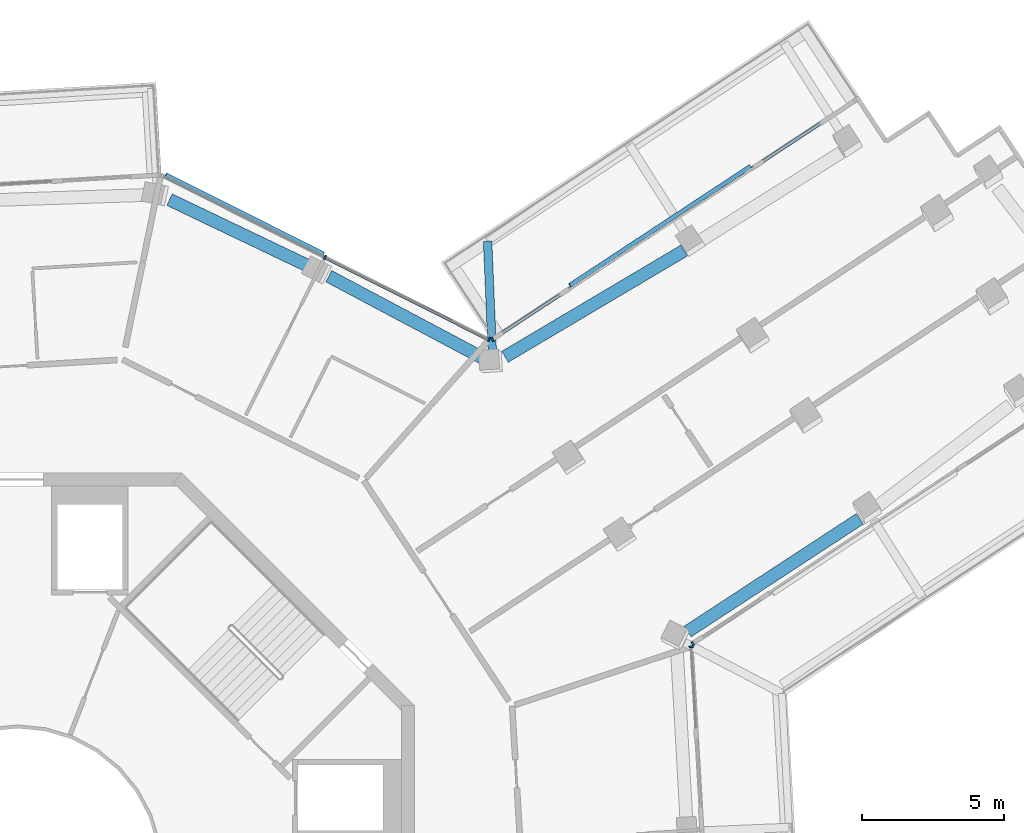
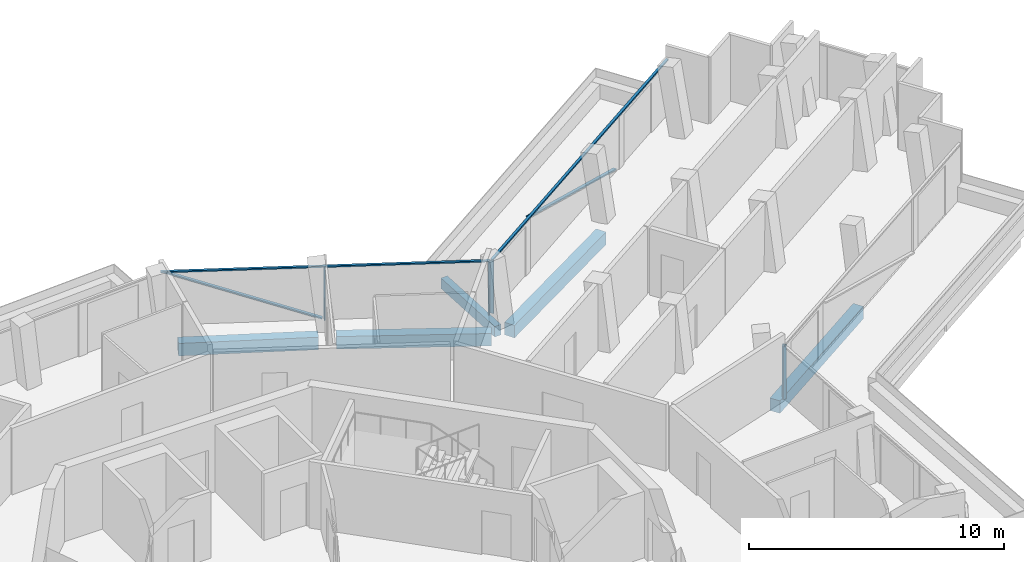
# One storey, part 8 of 26: 9 members, 5 beams, 4 elements without a shape of their own.
"""IFC4 building model written with IfcOpenShell, lengths in metres."""

import ifcopenshell
import ifcopenshell.guid

model = None  # the IFC model being written
_history = None  # IfcOwnerHistory: only IFC2X3 demands one
_inside = {}  # id of a spatial element -> (the spatial element, [elements in it])
_under = {}  # id of a project, library or spatial element -> (it, [spatial elements below it])
_declared = {}  # id of a project -> (the project, [libraries it declares])
_typed = {}  # id of a type object -> (the type object, [elements of that type])
_made_of = {}  # id of a material, layer set ... -> (it, [elements and type objects made of it])


def new_model(schema):
    """Start an empty IFC model of exactly this schema.

    Asked for "IFC4X3", IfcOpenShell would pick the latest addendum, in which some entities
    have other attributes; the version numbers below select the first issue.
    IFC2X3 requires an IfcOwnerHistory on every rooted entity: one is made here for all.
    """
    global model, _history
    if schema == "IFC4X3":
        model = ifcopenshell.file(schema_version=(4, 3, 0, 0))
    else:
        model = ifcopenshell.file(schema=schema)
    _inside.clear()
    _under.clear()
    _declared.clear()
    _typed.clear()
    _made_of.clear()
    _history = None
    if model.schema == "IFC2X3":
        org = make("IfcOrganization", Name="unknown")
        user = make(
            "IfcPersonAndOrganization",
            ThePerson=make("IfcPerson", FamilyName="unknown"),
            TheOrganization=org,
        )
        app = make(
            "IfcApplication",
            ApplicationDeveloper=org,
            Version="unknown",
            ApplicationFullName="unknown",
            ApplicationIdentifier="unknown",
        )
        _history = make(
            "IfcOwnerHistory",
            OwningUser=user,
            OwningApplication=app,
            ChangeAction="ADDED",
            CreationDate=0,
        )
    return model


def make(cls, **values):
    """One entity of the class cls with the attributes given. An attribute that is None is left unset."""
    return model.create_entity(
        cls, **{name: value for name, value in values.items() if value is not None}
    )


def rooted(cls, **values):
    """An entity with a GlobalId (a new one), such as an element, a storey or a relation."""
    return make(cls, GlobalId=ifcopenshell.guid.new(), OwnerHistory=_history, **values)


def si_unit(unit_type, name, prefix=None):
    """IfcSIUnit, for example si_unit("LENGTHUNIT", "METRE", prefix="MILLI")."""
    return make("IfcSIUnit", UnitType=unit_type, Prefix=prefix, Name=name)


def assignment(units):
    """IfcUnitAssignment: the units of a project."""
    return None if units is None else make("IfcUnitAssignment", Units=units)


def point(xyz):
    """IfcCartesianPoint."""
    return None if xyz is None else make("IfcCartesianPoint", Coordinates=xyz)


def direction(xyz):
    """IfcDirection."""
    return None if xyz is None else make("IfcDirection", DirectionRatios=xyz)


def frame(location, z_axis=None, x_axis=None):
    """IfcAxis2Placement3D, a coordinate frame: its origin and axes. An axis left out is left unset."""
    return make(
        "IfcAxis2Placement3D",
        Location=point(location),
        Axis=direction(z_axis),
        RefDirection=direction(x_axis),
    )


def frame_2d(location, x_axis=None):
    """IfcAxis2Placement2D, a coordinate frame in the plane: its origin and x axis."""
    return make(
        "IfcAxis2Placement2D", Location=point(location), RefDirection=direction(x_axis)
    )


def origin():
    """The frame at (0, 0, 0) with its axes left unset."""
    return frame((0.0, 0.0, 0.0))


def origin_2d():
    """The frame at (0, 0) in the plane with its x axis left unset."""
    return frame_2d((0.0, 0.0))


def place(relative_to, where):
    """IfcLocalPlacement: puts the frame where relative to a parent placement (None: the world)."""
    return make(
        "IfcLocalPlacement", PlacementRelTo=relative_to, RelativePlacement=where
    )


def context(
    kind, dimensions, precision=None, world=None, true_north=None, identifier=None
):
    """IfcGeometricRepresentationContext, for example the 3D "Model" context."""
    return make(
        "IfcGeometricRepresentationContext",
        ContextIdentifier=identifier,
        ContextType=kind,
        CoordinateSpaceDimension=dimensions,
        Precision=precision,
        WorldCoordinateSystem=world,
        TrueNorth=true_north,
    )


def subcontext(parent, identifier, kind, view, scale=None):
    """IfcGeometricRepresentationSubContext, for example "Body" below "Model"."""
    return make(
        "IfcGeometricRepresentationSubContext",
        ContextIdentifier=identifier,
        ContextType=kind,
        ParentContext=parent,
        TargetScale=scale,
        TargetView=view,
    )


def project(units=None, contexts=None):
    """IfcProject with its units and contexts."""
    return rooted(
        "IfcProject",
        Name="project",
        RepresentationContexts=contexts,
        UnitsInContext=assignment(units),
    )


def spatial(cls, under=None, at=None, **own):
    """A site, building, storey or space (cls), placed at a placement, below another one or the project."""
    s = rooted(cls, ObjectPlacement=at, **own)
    if under is not None:
        _under.setdefault(under.id(), (under, []))[1].append(s)
    return s


def profile(cls, at=None, kind="AREA", **sizes):
    """A parametric profile (cls). Its sizes go by their IFC names, for example OverallWidth=200.0."""
    return make(cls, ProfileType=kind, Position=at, **sizes)


def rectangle(**sizes):
    """IfcRectangleProfileDef."""
    return profile("IfcRectangleProfileDef", **sizes)


def extrude(swept, where, along, depth):
    """IfcExtrudedAreaSolid: the profile swept, set in the frame where, extruded along a direction by depth."""
    return make(
        "IfcExtrudedAreaSolid",
        SweptArea=swept,
        Position=where,
        ExtrudedDirection=direction(along),
        Depth=depth,
    )


def shape(context_of_items, identifier, shape_type, items):
    """IfcShapeRepresentation: the items that make up one representation, for example the "Body"."""
    return make(
        "IfcShapeRepresentation",
        ContextOfItems=context_of_items,
        RepresentationIdentifier=identifier,
        RepresentationType=shape_type,
        Items=items,
    )


def material(Name=None, Category=None):
    """IfcMaterial."""
    return make("IfcMaterial", Name=Name, Category=Category)


def layer(
    of_material, thickness, ventilated=None, Name=None, Category=None, Priority=None
):
    """IfcMaterialLayer: one layer of a wall or slab, of a material (None: an air gap)."""
    return make(
        "IfcMaterialLayer",
        Material=of_material,
        LayerThickness=thickness,
        IsVentilated=ventilated,
        Name=Name,
        Category=Category,
        Priority=Priority,
    )


def layer_set(layers, Name=None):
    """IfcMaterialLayerSet."""
    return make("IfcMaterialLayerSet", MaterialLayers=layers, LayerSetName=Name)


def material_profile(
    of_material, cross_section, Name=None, Category=None, Priority=None
):
    """IfcMaterialProfile: a cross section and its material."""
    return make(
        "IfcMaterialProfile",
        Name=Name,
        Material=of_material,
        Profile=cross_section,
        Priority=Priority,
        Category=Category,
    )


def profile_set(profiles, Name=None, composite=None):
    """IfcMaterialProfileSet."""
    return make(
        "IfcMaterialProfileSet",
        Name=Name,
        MaterialProfiles=profiles,
        CompositeProfile=composite,
    )


def made_of(thing, what):
    """Note that an element or type object is made of a material, layer set ...; save() writes the relation."""
    if what is not None:
        _made_of.setdefault(what.id(), (what, []))[1].append(thing)
    return thing


def type_object(cls, material=None, **own):
    """A type object (cls), such as IfcWallType, which elements share."""
    return made_of(rooted(cls, **own), material)


def element(
    cls,
    number,
    at=None,
    inside=None,
    cuts=None,
    type_object=None,
    material=None,
    context=None,
    identifier="Body",
    shape_type=None,
    held_by="IfcProductDefinitionShape",
    body=None,
    shapes=None,
    **own,
):
    """One element of the class cls, such as IfcWall. Its Tag is "e" and its number.

    at: its placement. inside: the storey or other place that contains it. cuts: it is an
    opening in that element (IfcRelVoidsElement). A single representation is given by context,
    identifier, shape_type and body (its items); several are given by shapes. held_by: the class
    of the entity that holds the representations. save() writes the other relations.
    """
    e = rooted(cls, Tag="e%d" % number, ObjectPlacement=at, **own)
    if body is not None:
        shapes = [shape(context, identifier, shape_type, body)]
    if shapes is not None:
        e.Representation = make(held_by, Representations=shapes)
    if inside is not None:
        _inside.setdefault(inside.id(), (inside, []))[1].append(e)
    if cuts is not None:
        rooted(
            "IfcRelVoidsElement", RelatingBuildingElement=cuts, RelatedOpeningElement=e
        )
    if type_object is not None:
        _typed.setdefault(type_object.id(), (type_object, []))[1].append(e)
    return made_of(e, material)


def aggregate(whole, parts):
    """IfcRelAggregates: a whole, such as a stair, and the parts it consists of."""
    return rooted("IfcRelAggregates", RelatingObject=whole, RelatedObjects=parts)


def save(model, path):
    """Write the relations noted so far, then the file.

    IfcRelAggregates (storeys below a building ...), IfcRelContainedInSpatialStructure (elements
    in a storey), IfcRelDefinesByType, IfcRelAssociatesMaterial and IfcRelDeclares: one each for
    every whole, place, type object, material and project.
    """
    for whole, parts in _under.values():
        aggregate(whole, parts)
    for where, things in _inside.values():
        rooted(
            "IfcRelContainedInSpatialStructure",
            RelatedElements=things,
            RelatingStructure=where,
        )
    for kind, things in _typed.values():
        rooted("IfcRelDefinesByType", RelatedObjects=things, RelatingType=kind)
    for what, things in _made_of.values():
        rooted("IfcRelAssociatesMaterial", RelatedObjects=things, RelatingMaterial=what)
    for by, libraries in _declared.values():
        rooted("IfcRelDeclares", RelatingContext=by, RelatedDefinitions=libraries)
    model.write(path)


model = new_model("IFC4")

# Units and contexts
model_context = context("Model", 3, precision=1e-05, world=origin(), true_north=direction((0.0, 1.0)))
body_context = subcontext(model_context, "Body", "Model", "MODEL_VIEW")
ifc_project = project(units=[si_unit("LENGTHUNIT", "METRE"), si_unit("AREAUNIT", "SQUARE_METRE"), si_unit("VOLUMEUNIT", "CUBIC_METRE"), si_unit("PLANEANGLEUNIT", "RADIAN"), si_unit("MASSUNIT", "GRAM", prefix="KILO")], contexts=[model_context])

# Site, building, storey
site_placement = place(None, origin())
site = spatial("IfcSite", under=ifc_project, at=site_placement, CompositionType="ELEMENT")
building_placement = place(site_placement, origin())
building = spatial("IfcBuilding", under=site, at=building_placement, Name="Verdalira Terraces Hotel", CompositionType="ELEMENT")
storey_placement = place(building_placement, frame((0.0, 0.0, 291.5)))
storey = spatial("IfcBuildingStorey", under=building, at=storey_placement, Name="L72", CompositionType="ELEMENT", Elevation=291.5)

# Beam
ifc_material_1 = material(Name="Concrete C40", Category="concrete")
ifc_material_profile_1 = material_profile(ifc_material_1, rectangle(XDim=0.300049, YDim=0.5, at=origin_2d()), Name="RC 300X500")
ifc_profile_set_1 = profile_set([ifc_material_profile_1], Name="Concrete C40")
beam_type_1 = type_object("IfcBeamType", Name="Balcony cantilever beam RC 300X500 C40", PredefinedType="BEAM", material=ifc_profile_set_1)
beam_1_placement = place(storey_placement, frame((16.748779, 18.240234, -0.560059), z_axis=(-0.041843926, 0.999124159, 0.0), x_axis=(-0.999124159, -0.041843926, 0.0)))
element("IfcBeam", 1, at=beam_1_placement, inside=storey, type_object=beam_type_1, Name="Balcony cantilever beam R38-3", PredefinedType="BEAM", context=body_context, shape_type="SweptSolid", body=[
    extrude(rectangle(XDim=0.300049, YDim=0.5, at=origin_2d()), origin(), (0.0, 0.0, 1.0), 3.949951),
])

# Curtain wall, member
ifc_material_2 = material(Name="Clear glass", Category="glass")
ifc_layer_1 = layer(ifc_material_2, 0.14990234375)
ifc_layer_set_1 = layer_set([ifc_layer_1], Name="CW1 curtain wall")
curtain_wall_type_1 = type_object("IfcCurtainWallType", Name="CW1 curtain wall", PredefinedType="NOTDEFINED", material=ifc_layer_set_1)
curtain_wall_1_placement = place(storey_placement, origin())
curtain_wall_1 = element("IfcCurtainWall", 2, at=curtain_wall_1_placement, inside=storey, type_object=curtain_wall_type_1, Name="CW1 curtain wall L72 edge 27", PredefinedType="NOTDEFINED")
ifc_material_3 = material(Name="Terracotta frame", Category="masonry")
ifc_material_profile_2 = material_profile(ifc_material_3, rectangle(XDim=0.060059, YDim=0.149902, at=origin_2d()), Name="MU 60x150")
ifc_profile_set_2 = profile_set([ifc_material_profile_2], Name="Terracotta frame")
member_type_1 = type_object("IfcMemberType", Name="CW1 mullion 60x150", PredefinedType="MULLION", material=ifc_profile_set_2)
member_1_placement = place(storey_placement, frame((23.762451, 7.876221, 0.0), z_axis=(0.0, 0.0, 1.0), x_axis=(-0.058609456, 0.998280988, 0.0)))
member_1 = element("IfcMember", 3, at=member_1_placement, type_object=member_type_1, Name="CW1 mullion", PredefinedType="MULLION", context=body_context, shape_type="SweptSolid", body=[
    extrude(rectangle(XDim=0.060059, YDim=0.149902, at=origin_2d()), origin(), (0.0, 0.0, 1.0), 2.524902),
])
aggregate(curtain_wall_1, [member_1])

# Curtain wall, members
curtain_wall_2_placement = place(storey_placement, origin())
curtain_wall_2 = element("IfcCurtainWall", 4, at=curtain_wall_2_placement, inside=storey, type_object=curtain_wall_type_1, Name="CW1 curtain wall L72 edge 39", PredefinedType="NOTDEFINED")
member_2_placement = place(storey_placement, frame((16.626465, 18.715088, 0.0), z_axis=(0.0, 0.0, 1.0), x_axis=(-0.893841424, 0.448383216, 0.0)))
member_2 = element("IfcMember", 5, at=member_2_placement, type_object=member_type_1, Name="CW1 mullion", PredefinedType="MULLION", context=body_context, shape_type="SweptSolid", body=[
    extrude(rectangle(XDim=0.060059, YDim=0.149902, at=origin_2d()), origin(), (0.0, 0.0, 1.0), 2.524902),
])
member_3_placement = place(storey_placement, frame((10.843506, 21.615967, 0.0), z_axis=(0.0, 0.0, 1.0), x_axis=(-0.893841424, 0.448383216, 0.0)))
member_3 = element("IfcMember", 6, at=member_3_placement, type_object=member_type_1, Name="CW1 mullion", PredefinedType="MULLION", context=body_context, shape_type="SweptSolid", body=[
    extrude(rectangle(XDim=0.060059, YDim=0.149902, at=origin_2d()), origin(), (0.0, 0.0, 1.0), 2.524902),
])
ifc_material_4 = material(Name="Terracotta frame", Category="masonry")
ifc_material_profile_3 = material_profile(ifc_material_4, rectangle(XDim=0.110107, YDim=0.064941, at=origin_2d()), Name="TR 65x110")
ifc_profile_set_3 = profile_set([ifc_material_profile_3], Name="Terracotta frame")
member_type_2 = type_object("IfcMemberType", Name="CW1 transom 65x110", PredefinedType="USERDEFINED", material=ifc_profile_set_3)
member_4_placement = place(storey_placement, frame((16.65332, 18.70166, 2.557617), z_axis=(-0.893846214, 0.448373667, 0.0), x_axis=(-0.448373667, -0.893846214, 0.0)))
member_4 = element("IfcMember", 7, at=member_4_placement, type_object=member_type_2, Name="CW1 transom", ObjectType="TRANSOM", PredefinedType="USERDEFINED", context=body_context, shape_type="SweptSolid", body=[
    extrude(rectangle(XDim=0.110107, YDim=0.064941, at=origin_2d()), origin(), (0.0, 0.0, 1.0), 12.959717),
])

# Curtain wall, member
ifc_material_5 = material(Name="Clear glass", Category="glass")
ifc_layer_2 = layer(ifc_material_5, 0.14990234375)
ifc_layer_set_2 = layer_set([ifc_layer_2], Name="CW2 curtain wall")
curtain_wall_type_2 = type_object("IfcCurtainWallType", Name="CW2 curtain wall", PredefinedType="NOTDEFINED", material=ifc_layer_set_2)
curtain_wall_3_placement = place(storey_placement, origin())
curtain_wall_3 = element("IfcCurtainWall", 8, at=curtain_wall_3_placement, inside=storey, type_object=curtain_wall_type_2, Name="CW2 curtain wall L72 edge 28", PredefinedType="NOTDEFINED")
ifc_material_6 = material(Name="Terracotta frame", Category="masonry")
ifc_material_profile_4 = material_profile(ifc_material_6, rectangle(XDim=0.070068, YDim=0.149902, at=origin_2d()), Name="MU 70x150")
ifc_profile_set_4 = profile_set([ifc_material_profile_4], Name="Terracotta frame")
member_type_3 = type_object("IfcMemberType", Name="CW2 mullion 70x150", PredefinedType="MULLION", material=ifc_profile_set_4)
member_5_placement = place(storey_placement, frame((23.82373, 7.992432, 0.0), z_axis=(0.0, 0.0, 1.0), x_axis=(0.835231968, 0.549897772, 0.0)))
member_5 = element("IfcMember", 9, at=member_5_placement, type_object=member_type_3, Name="CW2 mullion", PredefinedType="MULLION", context=body_context, shape_type="SweptSolid", body=[
    extrude(rectangle(XDim=0.070068, YDim=0.149902, at=origin_2d()), origin(), (0.0, 0.0, 1.0), 2.524902),
])
aggregate(curtain_wall_3, [member_5])

# Curtain wall, members
curtain_wall_4_placement = place(storey_placement, origin())
curtain_wall_4 = element("IfcCurtainWall", 10, at=curtain_wall_4_placement, inside=storey, type_object=curtain_wall_type_2, Name="CW2 curtain wall L72 edge 38", PredefinedType="NOTDEFINED")
member_6_placement = place(storey_placement, frame((16.757568, 18.725098, 0.0), z_axis=(0.0, 0.0, 1.0), x_axis=(-0.835231968, -0.549897772, 0.0)))
member_6 = element("IfcMember", 11, at=member_6_placement, type_object=member_type_3, Name="CW2 mullion", PredefinedType="MULLION", context=body_context, shape_type="SweptSolid", body=[
    extrude(rectangle(XDim=0.070068, YDim=0.149902, at=origin_2d()), origin(), (0.0, 0.0, 1.0), 2.524902),
])
ifc_material_7 = material(Name="Terracotta frame", Category="masonry")
ifc_material_profile_5 = material_profile(ifc_material_7, rectangle(XDim=0.11499, YDim=0.064941, at=origin_2d()), Name="TR 65x115")
ifc_profile_set_5 = profile_set([ifc_material_profile_5], Name="Terracotta frame")
member_type_4 = type_object("IfcMemberType", Name="CW2 transom 65x115", PredefinedType="USERDEFINED", material=ifc_profile_set_5)
member_7_placement = place(storey_placement, frame((29.588623, 27.173096, 2.557617), z_axis=(-0.835229659, -0.549901279, 0.0), x_axis=(0.549901279, -0.835229659, 0.0)))
member_7 = element("IfcMember", 12, at=member_7_placement, type_object=member_type_4, Name="CW2 transom", ObjectType="TRANSOM", PredefinedType="USERDEFINED", context=body_context, shape_type="SweptSolid", body=[
    extrude(rectangle(XDim=0.11499, YDim=0.064941, at=origin_2d()), origin(), (0.0, 0.0, 1.0), 15.397461),
])
ifc_material_8 = material(Name="Terracotta frame", Category="masonry")
ifc_material_profile_6 = material_profile(ifc_material_8, rectangle(XDim=0.149902, YDim=0.060059, at=origin_2d()), Name="GB 60x150")
ifc_profile_set_6 = profile_set([ifc_material_profile_6], Name="Terracotta frame")
member_type_5 = type_object("IfcMemberType", Name="Diagonal glazing bar 60x150", PredefinedType="USERDEFINED", material=ifc_profile_set_6)
member_8_placement = place(storey_placement, frame((25.846924, 24.818359, 0.029053), z_axis=(-0.794609302, -0.5231432, 0.308086431), x_axis=(0.549890783, -0.835236569, 0.0)))
member_8 = element("IfcMember", 13, at=member_8_placement, type_object=member_type_5, Name="Diagonal glazing bar", ObjectType="GLAZING BAR", PredefinedType="USERDEFINED", context=body_context, shape_type="SweptSolid", body=[
    extrude(rectangle(XDim=0.149902, YDim=0.060059, at=origin_2d()), origin(), (0.0, 0.0, 1.0), 8.006836),
])
aggregate(curtain_wall_4, [member_6, member_7, member_8])

# Member
member_9_placement = place(storey_placement, frame((10.791992, 21.741455, 0.028564), z_axis=(-0.83093962, 0.416818738, 0.368512534), x_axis=(-0.448374058, -0.893846018, 0.0)))
member_9 = element("IfcMember", 14, at=member_9_placement, type_object=member_type_5, Name="Diagonal glazing bar", ObjectType="GLAZING BAR", PredefinedType="USERDEFINED", context=body_context, shape_type="SweptSolid", body=[
    extrude(rectangle(XDim=0.149902, YDim=0.060059, at=origin_2d()), origin(), (0.0, 0.0, 1.0), 6.696533),
])

aggregate(curtain_wall_2, [member_2, member_3, member_4, member_9])

# Beams
ifc_material_9 = material(Name="Concrete C40", Category="concrete")
ifc_material_profile_7 = material_profile(ifc_material_9, rectangle(XDim=0.449951, YDim=0.600098, at=origin_2d()), Name="RC 450X600")
ifc_profile_set_7 = profile_set([ifc_material_profile_7], Name="Concrete C40")
beam_type_2 = type_object("IfcBeamType", Name="Spandrel beam RC 450X600 C40", PredefinedType="SPANDREL", material=ifc_profile_set_7)
beam_2_placement = place(storey_placement, frame((23.638428, 8.414062, -0.610107), z_axis=(0.836821022, 0.547476555, 0.0), x_axis=(-0.547476555, 0.836821022, 0.0)))
element("IfcBeam", 15, at=beam_2_placement, inside=storey, type_object=beam_type_2, Name="Spandrel beam B19", PredefinedType="SPANDREL", context=body_context, shape_type="SweptSolid", body=[
    extrude(rectangle(XDim=0.449951, YDim=0.600098, at=origin_2d()), origin(), (0.0, 0.0, 1.0), 7.266602),
])
beam_3_placement = place(storey_placement, frame((23.52002, 21.858887, -0.610107), z_axis=(-0.860075152, -0.510167358, 0.0), x_axis=(0.510167358, -0.860075152, 0.0)))
element("IfcBeam", 16, at=beam_3_placement, inside=storey, type_object=beam_type_2, Name="Spandrel beam B23", PredefinedType="SPANDREL", context=body_context, shape_type="SweptSolid", body=[
    extrude(rectangle(XDim=0.449951, YDim=0.600098, at=origin_2d()), origin(), (0.0, 0.0, 1.0), 7.352051),
])
beam_4_placement = place(storey_placement, frame((16.365967, 18.09082, -0.610107), z_axis=(-0.88322042, 0.46895809, 0.0), x_axis=(-0.46895809, -0.88322042, 0.0)))
element("IfcBeam", 17, at=beam_4_placement, inside=storey, type_object=beam_type_2, Name="Spandrel beam B24", PredefinedType="SPANDREL", context=body_context, shape_type="SweptSolid", body=[
    extrude(rectangle(XDim=0.449951, YDim=0.600098, at=origin_2d()), origin(), (0.0, 0.0, 1.0), 6.097412),
])
beam_5_placement = place(storey_placement, frame((10.342529, 21.271484, -0.610107), z_axis=(-0.902312989, 0.431081512, 0.0), x_axis=(-0.431081512, -0.902312989, 0.0)))
element("IfcBeam", 18, at=beam_5_placement, inside=storey, type_object=beam_type_2, Name="Spandrel beam B25", PredefinedType="SPANDREL", context=body_context, shape_type="SweptSolid", body=[
    extrude(rectangle(XDim=0.449951, YDim=0.600098, at=origin_2d()), origin(), (0.0, 0.0, 1.0), 5.52124),
])

save(model, "model.ifc")
